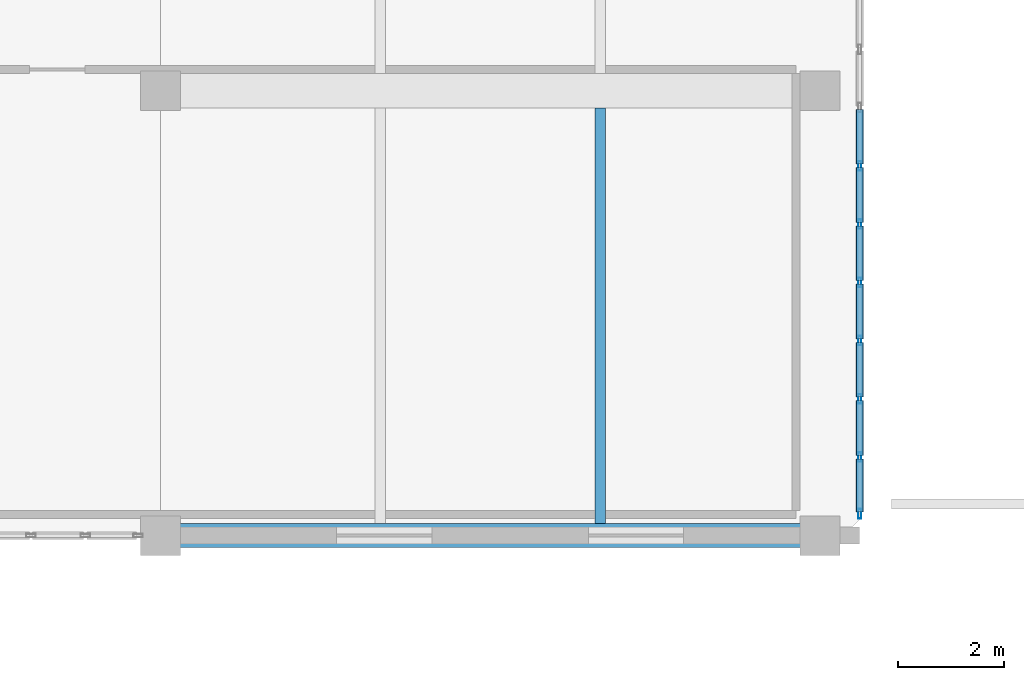
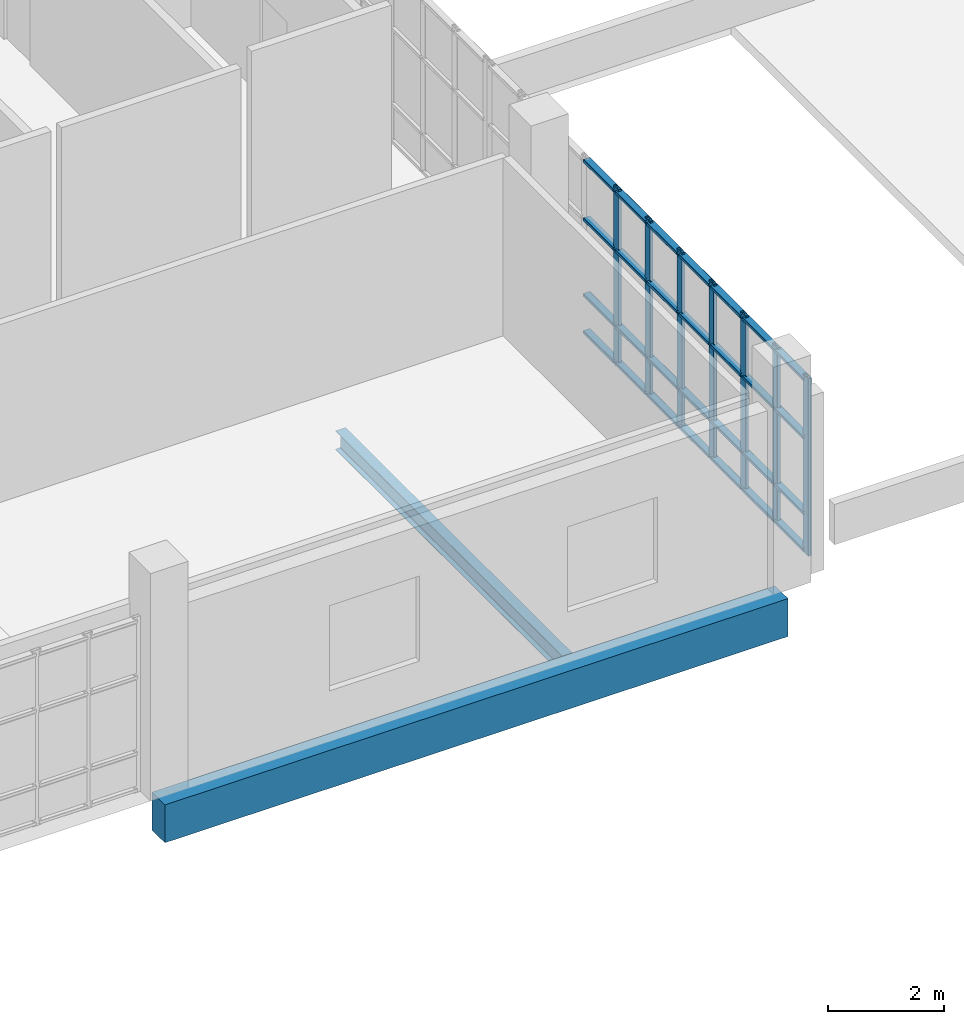
# One storey, part 58 of 106: 35 members, 2 beams, 1 element without a shape of its own.
"""IFC4 building model written with IfcOpenShell, lengths in metres."""

from ifc_helpers import new_model, si_unit, direction, frame, origin, origin_2d, place, context, subcontext, project, spatial, rectangle, hollow_rectangle, i_section, extrude, material, layer, layer_set, material_profile, profile_set, type_object, element, aggregate, save


model = new_model("IFC4")

# Units and contexts
model_context = context("Model", 3, precision=1e-05, world=origin(), true_north=direction((0.0, 1.0)))
body_context = subcontext(model_context, "Body", "Model", "MODEL_VIEW")
ifc_project = project(units=[si_unit("LENGTHUNIT", "METRE"), si_unit("AREAUNIT", "SQUARE_METRE"), si_unit("VOLUMEUNIT", "CUBIC_METRE"), si_unit("PLANEANGLEUNIT", "RADIAN"), si_unit("MASSUNIT", "GRAM", prefix="KILO")], contexts=[model_context])

# Site, building, storey
site_placement = place(None, origin())
site = spatial("IfcSite", under=ifc_project, at=site_placement, CompositionType="ELEMENT")
building_placement = place(site_placement, origin())
building = spatial("IfcBuilding", under=site, at=building_placement, Name="Kisaragi Civic Commons", CompositionType="ELEMENT")
storey_placement = place(building_placement, frame((0.0, 0.0, 4.800048828125)))
storey = spatial("IfcBuildingStorey", under=building, at=storey_placement, Name="L01", CompositionType="ELEMENT", Elevation=4.800048828125)

# Curtain wall, members
ifc_material_1 = material(Name="Thermally broken anodized aluminium and low-E double glazing", Category="aluminium")
ifc_layer = layer(ifc_material_1, 0.179931640625, Name="Thermally broken anodized aluminium and low-E double glazing", Category="aluminium")
ifc_layer_set = layer_set([ifc_layer], Name="Thermally broken anodized aluminium and low-E double glazing")
curtain_wall_type = type_object("IfcCurtainWallType", Name="CW-01", PredefinedType="NOTDEFINED", material=ifc_layer_set)
curtain_wall_placement = place(storey_placement, origin())
curtain_wall = element("IfcCurtainWall", 1, at=curtain_wall_placement, inside=storey, type_object=curtain_wall_type, Name="L01 curtain wall CW-01 CW-V4-L01-072", PredefinedType="NOTDEFINED")
ifc_material_profile_1 = material_profile(ifc_material_1, hollow_rectangle(XDim=0.06494140625, YDim=0.179931640625, WallThickness=0.00439453125, InnerFilletRadius=0.00439453125, OuterFilletRadius=0.009033203125, at=origin_2d()), Name="CWM-65x180x4.5", Category="aluminium")
ifc_profile_set_1 = profile_set([ifc_material_profile_1], Name="Thermally broken anodized aluminium and low-E double glazing")
member_type_1 = type_object("IfcMemberType", Name="CWM-02", PredefinedType="MULLION", material=ifc_profile_set_1)
member_1_placement = place(storey_placement, frame((159.60009765625, 102.97998046875, 0.0), z_axis=(0.0, 0.0, 1.0), x_axis=(1.0, 0.0, 0.0)))
member_1 = element("IfcMember", 2, at=member_1_placement, type_object=member_type_1, Name="CW-01 mullion 5", PredefinedType="MULLION", context=body_context, shape_type="SweptSolid", body=[
    extrude(hollow_rectangle(XDim=0.06494140625, YDim=0.179931640625, WallThickness=0.00439453125, InnerFilletRadius=0.00439453125, OuterFilletRadius=0.009033203125, at=origin_2d()), origin(), (0.0, 0.0, 1.0), 3.7548828125),
])
member_2_placement = place(storey_placement, frame((159.60009765625, 101.8798828125, 0.0), z_axis=(0.0, 0.0, 1.0), x_axis=(1.0, 0.0, 0.0)))
member_2 = element("IfcMember", 3, at=member_2_placement, type_object=member_type_1, Name="CW-01 mullion 6", PredefinedType="MULLION", context=body_context, shape_type="SweptSolid", body=[
    extrude(hollow_rectangle(XDim=0.06494140625, YDim=0.179931640625, WallThickness=0.00439453125, InnerFilletRadius=0.00439453125, OuterFilletRadius=0.009033203125, at=origin_2d()), origin(), (0.0, 0.0, 1.0), 3.7548828125),
])
member_3_placement = place(storey_placement, frame((159.60009765625, 100.780029296875, 0.0), z_axis=(0.0, 0.0, 1.0), x_axis=(1.0, 0.0, 0.0)))
member_3 = element("IfcMember", 4, at=member_3_placement, type_object=member_type_1, Name="CW-01 mullion 7", PredefinedType="MULLION", context=body_context, shape_type="SweptSolid", body=[
    extrude(hollow_rectangle(XDim=0.06494140625, YDim=0.179931640625, WallThickness=0.00439453125, InnerFilletRadius=0.00439453125, OuterFilletRadius=0.009033203125, at=origin_2d()), origin(), (0.0, 0.0, 1.0), 3.7548828125),
])
member_4_placement = place(storey_placement, frame((159.60009765625, 99.679931640625, 0.0), z_axis=(0.0, 0.0, 1.0), x_axis=(1.0, 0.0, 0.0)))
member_4 = element("IfcMember", 5, at=member_4_placement, type_object=member_type_1, Name="CW-01 mullion 8", PredefinedType="MULLION", context=body_context, shape_type="SweptSolid", body=[
    extrude(hollow_rectangle(XDim=0.06494140625, YDim=0.179931640625, WallThickness=0.00439453125, InnerFilletRadius=0.00439453125, OuterFilletRadius=0.009033203125, at=origin_2d()), origin(), (0.0, 0.0, 1.0), 3.7548828125),
])
member_5_placement = place(storey_placement, frame((159.60009765625, 98.580078125, 0.0), z_axis=(0.0, 0.0, 1.0), x_axis=(1.0, 0.0, 0.0)))
member_5 = element("IfcMember", 6, at=member_5_placement, type_object=member_type_1, Name="CW-01 mullion 9", PredefinedType="MULLION", context=body_context, shape_type="SweptSolid", body=[
    extrude(hollow_rectangle(XDim=0.06494140625, YDim=0.179931640625, WallThickness=0.00439453125, InnerFilletRadius=0.00439453125, OuterFilletRadius=0.009033203125, at=origin_2d()), origin(), (0.0, 0.0, 1.0), 3.7548828125),
])
member_6_placement = place(storey_placement, frame((159.60009765625, 97.47998046875, 0.0), z_axis=(0.0, 0.0, 1.0), x_axis=(1.0, 0.0, 0.0)))
member_6 = element("IfcMember", 7, at=member_6_placement, type_object=member_type_1, Name="CW-01 mullion 10", PredefinedType="MULLION", context=body_context, shape_type="SweptSolid", body=[
    extrude(hollow_rectangle(XDim=0.06494140625, YDim=0.179931640625, WallThickness=0.00439453125, InnerFilletRadius=0.00439453125, OuterFilletRadius=0.009033203125, at=origin_2d()), origin(), (0.0, 0.0, 1.0), 3.7548828125),
])
member_7_placement = place(storey_placement, frame((159.60009765625, 96.41259765625, 0.0), z_axis=(0.0, 0.0, 1.0), x_axis=(1.0, 0.0, 0.0)))
member_7 = element("IfcMember", 8, at=member_7_placement, type_object=member_type_1, Name="CW-01 mullion 11", PredefinedType="MULLION", context=body_context, shape_type="SweptSolid", body=[
    extrude(hollow_rectangle(XDim=0.06494140625, YDim=0.179931640625, WallThickness=0.00439453125, InnerFilletRadius=0.00439453125, OuterFilletRadius=0.009033203125, at=origin_2d()), origin(), (0.0, 0.0, 1.0), 3.7548828125),
])
ifc_material_profile_2 = material_profile(ifc_material_1, hollow_rectangle(XDim=0.139892578125, YDim=0.06494140625, WallThickness=0.00439453125, InnerFilletRadius=0.00439453125, OuterFilletRadius=0.009033203125, at=origin_2d()), Name="CWT-65x140x4.5", Category="aluminium")
ifc_profile_set_2 = profile_set([ifc_material_profile_2], Name="Thermally broken anodized aluminium and low-E double glazing")
member_type_2 = type_object("IfcMemberType", Name="CWT-02", PredefinedType="USERDEFINED", material=ifc_profile_set_2)
member_8_placement = place(storey_placement, frame((159.60009765625, 104.047607421875, 0.070068359375), z_axis=(0.0, -1.0, 0.0), x_axis=(1.0, 0.0, 0.0)))
member_8 = element("IfcMember", 9, at=member_8_placement, type_object=member_type_2, Name="CW-01 transom 4.1", ObjectType="TRANSOM", PredefinedType="USERDEFINED", context=body_context, shape_type="SweptSolid", body=[
    extrude(hollow_rectangle(XDim=0.139892578125, YDim=0.06494140625, WallThickness=0.00439453125, InnerFilletRadius=0.00439453125, OuterFilletRadius=0.009033203125, at=origin_2d()), origin(), (0.0, 0.0, 1.0), 1.03515625),
])
member_9_placement = place(storey_placement, frame((159.60009765625, 104.047607421875, 0.849853515625), z_axis=(0.0, -1.0, 0.0), x_axis=(1.0, 0.0, 0.0)))
member_9 = element("IfcMember", 10, at=member_9_placement, type_object=member_type_2, Name="CW-01 transom 4.2", ObjectType="TRANSOM", PredefinedType="USERDEFINED", context=body_context, shape_type="SweptSolid", body=[
    extrude(hollow_rectangle(XDim=0.139892578125, YDim=0.06494140625, WallThickness=0.00439453125, InnerFilletRadius=0.00439453125, OuterFilletRadius=0.009033203125, at=origin_2d()), origin(), (0.0, 0.0, 1.0), 1.03515625),
])
member_10_placement = place(storey_placement, frame((159.60009765625, 104.047607421875, 2.449951171875), z_axis=(0.0, -1.0, 0.0), x_axis=(1.0, 0.0, 0.0)))
member_10 = element("IfcMember", 11, at=member_10_placement, type_object=member_type_2, Name="CW-01 transom 4.3", ObjectType="TRANSOM", PredefinedType="USERDEFINED", context=body_context, shape_type="SweptSolid", body=[
    extrude(hollow_rectangle(XDim=0.139892578125, YDim=0.06494140625, WallThickness=0.00439453125, InnerFilletRadius=0.00439453125, OuterFilletRadius=0.009033203125, at=origin_2d()), origin(), (0.0, 0.0, 1.0), 1.03515625),
])
member_11_placement = place(storey_placement, frame((159.60009765625, 104.047607421875, 3.68505859375), z_axis=(0.0, -1.0, 0.0), x_axis=(1.0, 0.0, 0.0)))
member_11 = element("IfcMember", 12, at=member_11_placement, type_object=member_type_2, Name="CW-01 transom 4.4", ObjectType="TRANSOM", PredefinedType="USERDEFINED", context=body_context, shape_type="SweptSolid", body=[
    extrude(hollow_rectangle(XDim=0.139892578125, YDim=0.06494140625, WallThickness=0.00439453125, InnerFilletRadius=0.00439453125, OuterFilletRadius=0.009033203125, at=origin_2d()), origin(), (0.0, 0.0, 1.0), 1.03515625),
])
member_12_placement = place(storey_placement, frame((159.60009765625, 102.947509765625, 0.070068359375), z_axis=(0.0, -1.0, 0.0), x_axis=(1.0, 0.0, 0.0)))
member_12 = element("IfcMember", 13, at=member_12_placement, type_object=member_type_2, Name="CW-01 transom 5.1", ObjectType="TRANSOM", PredefinedType="USERDEFINED", context=body_context, shape_type="SweptSolid", body=[
    extrude(hollow_rectangle(XDim=0.139892578125, YDim=0.06494140625, WallThickness=0.00439453125, InnerFilletRadius=0.00439453125, OuterFilletRadius=0.009033203125, at=origin_2d()), origin(), (0.0, 0.0, 1.0), 1.034912109375),
])
member_13_placement = place(storey_placement, frame((159.60009765625, 102.947509765625, 0.849853515625), z_axis=(0.0, -1.0, 0.0), x_axis=(1.0, 0.0, 0.0)))
member_13 = element("IfcMember", 14, at=member_13_placement, type_object=member_type_2, Name="CW-01 transom 5.2", ObjectType="TRANSOM", PredefinedType="USERDEFINED", context=body_context, shape_type="SweptSolid", body=[
    extrude(hollow_rectangle(XDim=0.139892578125, YDim=0.06494140625, WallThickness=0.00439453125, InnerFilletRadius=0.00439453125, OuterFilletRadius=0.009033203125, at=origin_2d()), origin(), (0.0, 0.0, 1.0), 1.034912109375),
])
member_14_placement = place(storey_placement, frame((159.60009765625, 102.947509765625, 2.449951171875), z_axis=(0.0, -1.0, 0.0), x_axis=(1.0, 0.0, 0.0)))
member_14 = element("IfcMember", 15, at=member_14_placement, type_object=member_type_2, Name="CW-01 transom 5.3", ObjectType="TRANSOM", PredefinedType="USERDEFINED", context=body_context, shape_type="SweptSolid", body=[
    extrude(hollow_rectangle(XDim=0.139892578125, YDim=0.06494140625, WallThickness=0.00439453125, InnerFilletRadius=0.00439453125, OuterFilletRadius=0.009033203125, at=origin_2d()), origin(), (0.0, 0.0, 1.0), 1.034912109375),
])
member_15_placement = place(storey_placement, frame((159.60009765625, 102.947509765625, 3.68505859375), z_axis=(0.0, -1.0, 0.0), x_axis=(1.0, 0.0, 0.0)))
member_15 = element("IfcMember", 16, at=member_15_placement, type_object=member_type_2, Name="CW-01 transom 5.4", ObjectType="TRANSOM", PredefinedType="USERDEFINED", context=body_context, shape_type="SweptSolid", body=[
    extrude(hollow_rectangle(XDim=0.139892578125, YDim=0.06494140625, WallThickness=0.00439453125, InnerFilletRadius=0.00439453125, OuterFilletRadius=0.009033203125, at=origin_2d()), origin(), (0.0, 0.0, 1.0), 1.034912109375),
])
member_16_placement = place(storey_placement, frame((159.60009765625, 101.847412109375, 0.070068359375), z_axis=(0.0, -1.0, 0.0), x_axis=(1.0, 0.0, 0.0)))
member_16 = element("IfcMember", 17, at=member_16_placement, type_object=member_type_2, Name="CW-01 transom 6.1", ObjectType="TRANSOM", PredefinedType="USERDEFINED", context=body_context, shape_type="SweptSolid", body=[
    extrude(hollow_rectangle(XDim=0.139892578125, YDim=0.06494140625, WallThickness=0.00439453125, InnerFilletRadius=0.00439453125, OuterFilletRadius=0.009033203125, at=origin_2d()), origin(), (0.0, 0.0, 1.0), 1.034912109375),
])
member_17_placement = place(storey_placement, frame((159.60009765625, 101.847412109375, 0.849853515625), z_axis=(0.0, -1.0, 0.0), x_axis=(1.0, 0.0, 0.0)))
member_17 = element("IfcMember", 18, at=member_17_placement, type_object=member_type_2, Name="CW-01 transom 6.2", ObjectType="TRANSOM", PredefinedType="USERDEFINED", context=body_context, shape_type="SweptSolid", body=[
    extrude(hollow_rectangle(XDim=0.139892578125, YDim=0.06494140625, WallThickness=0.00439453125, InnerFilletRadius=0.00439453125, OuterFilletRadius=0.009033203125, at=origin_2d()), origin(), (0.0, 0.0, 1.0), 1.034912109375),
])
member_18_placement = place(storey_placement, frame((159.60009765625, 101.847412109375, 2.449951171875), z_axis=(0.0, -1.0, 0.0), x_axis=(1.0, 0.0, 0.0)))
member_18 = element("IfcMember", 19, at=member_18_placement, type_object=member_type_2, Name="CW-01 transom 6.3", ObjectType="TRANSOM", PredefinedType="USERDEFINED", context=body_context, shape_type="SweptSolid", body=[
    extrude(hollow_rectangle(XDim=0.139892578125, YDim=0.06494140625, WallThickness=0.00439453125, InnerFilletRadius=0.00439453125, OuterFilletRadius=0.009033203125, at=origin_2d()), origin(), (0.0, 0.0, 1.0), 1.034912109375),
])
member_19_placement = place(storey_placement, frame((159.60009765625, 101.847412109375, 3.68505859375), z_axis=(0.0, -1.0, 0.0), x_axis=(1.0, 0.0, 0.0)))
member_19 = element("IfcMember", 20, at=member_19_placement, type_object=member_type_2, Name="CW-01 transom 6.4", ObjectType="TRANSOM", PredefinedType="USERDEFINED", context=body_context, shape_type="SweptSolid", body=[
    extrude(hollow_rectangle(XDim=0.139892578125, YDim=0.06494140625, WallThickness=0.00439453125, InnerFilletRadius=0.00439453125, OuterFilletRadius=0.009033203125, at=origin_2d()), origin(), (0.0, 0.0, 1.0), 1.034912109375),
])
member_20_placement = place(storey_placement, frame((159.60009765625, 100.74755859375, 0.070068359375), z_axis=(0.0, -1.0, 0.0), x_axis=(1.0, 0.0, 0.0)))
member_20 = element("IfcMember", 21, at=member_20_placement, type_object=member_type_2, Name="CW-01 transom 7.1", ObjectType="TRANSOM", PredefinedType="USERDEFINED", context=body_context, shape_type="SweptSolid", body=[
    extrude(hollow_rectangle(XDim=0.139892578125, YDim=0.06494140625, WallThickness=0.00439453125, InnerFilletRadius=0.00439453125, OuterFilletRadius=0.009033203125, at=origin_2d()), origin(), (0.0, 0.0, 1.0), 1.03515625),
])
member_21_placement = place(storey_placement, frame((159.60009765625, 100.74755859375, 0.849853515625), z_axis=(0.0, -1.0, 0.0), x_axis=(1.0, 0.0, 0.0)))
member_21 = element("IfcMember", 22, at=member_21_placement, type_object=member_type_2, Name="CW-01 transom 7.2", ObjectType="TRANSOM", PredefinedType="USERDEFINED", context=body_context, shape_type="SweptSolid", body=[
    extrude(hollow_rectangle(XDim=0.139892578125, YDim=0.06494140625, WallThickness=0.00439453125, InnerFilletRadius=0.00439453125, OuterFilletRadius=0.009033203125, at=origin_2d()), origin(), (0.0, 0.0, 1.0), 1.03515625),
])
member_22_placement = place(storey_placement, frame((159.60009765625, 100.74755859375, 2.449951171875), z_axis=(0.0, -1.0, 0.0), x_axis=(1.0, 0.0, 0.0)))
member_22 = element("IfcMember", 23, at=member_22_placement, type_object=member_type_2, Name="CW-01 transom 7.3", ObjectType="TRANSOM", PredefinedType="USERDEFINED", context=body_context, shape_type="SweptSolid", body=[
    extrude(hollow_rectangle(XDim=0.139892578125, YDim=0.06494140625, WallThickness=0.00439453125, InnerFilletRadius=0.00439453125, OuterFilletRadius=0.009033203125, at=origin_2d()), origin(), (0.0, 0.0, 1.0), 1.03515625),
])
member_23_placement = place(storey_placement, frame((159.60009765625, 100.74755859375, 3.68505859375), z_axis=(0.0, -1.0, 0.0), x_axis=(1.0, 0.0, 0.0)))
member_23 = element("IfcMember", 24, at=member_23_placement, type_object=member_type_2, Name="CW-01 transom 7.4", ObjectType="TRANSOM", PredefinedType="USERDEFINED", context=body_context, shape_type="SweptSolid", body=[
    extrude(hollow_rectangle(XDim=0.139892578125, YDim=0.06494140625, WallThickness=0.00439453125, InnerFilletRadius=0.00439453125, OuterFilletRadius=0.009033203125, at=origin_2d()), origin(), (0.0, 0.0, 1.0), 1.03515625),
])
member_24_placement = place(storey_placement, frame((159.60009765625, 99.6474609375, 0.070068359375), z_axis=(0.0, -1.0, 0.0), x_axis=(1.0, 0.0, 0.0)))
member_24 = element("IfcMember", 25, at=member_24_placement, type_object=member_type_2, Name="CW-01 transom 8.1", ObjectType="TRANSOM", PredefinedType="USERDEFINED", context=body_context, shape_type="SweptSolid", body=[
    extrude(hollow_rectangle(XDim=0.139892578125, YDim=0.06494140625, WallThickness=0.00439453125, InnerFilletRadius=0.00439453125, OuterFilletRadius=0.009033203125, at=origin_2d()), origin(), (0.0, 0.0, 1.0), 1.034912109375),
])
member_25_placement = place(storey_placement, frame((159.60009765625, 99.6474609375, 0.849853515625), z_axis=(0.0, -1.0, 0.0), x_axis=(1.0, 0.0, 0.0)))
member_25 = element("IfcMember", 26, at=member_25_placement, type_object=member_type_2, Name="CW-01 transom 8.2", ObjectType="TRANSOM", PredefinedType="USERDEFINED", context=body_context, shape_type="SweptSolid", body=[
    extrude(hollow_rectangle(XDim=0.139892578125, YDim=0.06494140625, WallThickness=0.00439453125, InnerFilletRadius=0.00439453125, OuterFilletRadius=0.009033203125, at=origin_2d()), origin(), (0.0, 0.0, 1.0), 1.034912109375),
])
member_26_placement = place(storey_placement, frame((159.60009765625, 99.6474609375, 2.449951171875), z_axis=(0.0, -1.0, 0.0), x_axis=(1.0, 0.0, 0.0)))
member_26 = element("IfcMember", 27, at=member_26_placement, type_object=member_type_2, Name="CW-01 transom 8.3", ObjectType="TRANSOM", PredefinedType="USERDEFINED", context=body_context, shape_type="SweptSolid", body=[
    extrude(hollow_rectangle(XDim=0.139892578125, YDim=0.06494140625, WallThickness=0.00439453125, InnerFilletRadius=0.00439453125, OuterFilletRadius=0.009033203125, at=origin_2d()), origin(), (0.0, 0.0, 1.0), 1.034912109375),
])
member_27_placement = place(storey_placement, frame((159.60009765625, 99.6474609375, 3.68505859375), z_axis=(0.0, -1.0, 0.0), x_axis=(1.0, 0.0, 0.0)))
member_27 = element("IfcMember", 28, at=member_27_placement, type_object=member_type_2, Name="CW-01 transom 8.4", ObjectType="TRANSOM", PredefinedType="USERDEFINED", context=body_context, shape_type="SweptSolid", body=[
    extrude(hollow_rectangle(XDim=0.139892578125, YDim=0.06494140625, WallThickness=0.00439453125, InnerFilletRadius=0.00439453125, OuterFilletRadius=0.009033203125, at=origin_2d()), origin(), (0.0, 0.0, 1.0), 1.034912109375),
])
member_28_placement = place(storey_placement, frame((159.60009765625, 98.547607421875, 0.070068359375), z_axis=(0.0, -1.0, 0.0), x_axis=(1.0, 0.0, 0.0)))
member_28 = element("IfcMember", 29, at=member_28_placement, type_object=member_type_2, Name="CW-01 transom 9.1", ObjectType="TRANSOM", PredefinedType="USERDEFINED", context=body_context, shape_type="SweptSolid", body=[
    extrude(hollow_rectangle(XDim=0.139892578125, YDim=0.06494140625, WallThickness=0.00439453125, InnerFilletRadius=0.00439453125, OuterFilletRadius=0.009033203125, at=origin_2d()), origin(), (0.0, 0.0, 1.0), 1.03515625),
])
member_29_placement = place(storey_placement, frame((159.60009765625, 98.547607421875, 0.849853515625), z_axis=(0.0, -1.0, 0.0), x_axis=(1.0, 0.0, 0.0)))
member_29 = element("IfcMember", 30, at=member_29_placement, type_object=member_type_2, Name="CW-01 transom 9.2", ObjectType="TRANSOM", PredefinedType="USERDEFINED", context=body_context, shape_type="SweptSolid", body=[
    extrude(hollow_rectangle(XDim=0.139892578125, YDim=0.06494140625, WallThickness=0.00439453125, InnerFilletRadius=0.00439453125, OuterFilletRadius=0.009033203125, at=origin_2d()), origin(), (0.0, 0.0, 1.0), 1.03515625),
])
member_30_placement = place(storey_placement, frame((159.60009765625, 98.547607421875, 2.449951171875), z_axis=(0.0, -1.0, 0.0), x_axis=(1.0, 0.0, 0.0)))
member_30 = element("IfcMember", 31, at=member_30_placement, type_object=member_type_2, Name="CW-01 transom 9.3", ObjectType="TRANSOM", PredefinedType="USERDEFINED", context=body_context, shape_type="SweptSolid", body=[
    extrude(hollow_rectangle(XDim=0.139892578125, YDim=0.06494140625, WallThickness=0.00439453125, InnerFilletRadius=0.00439453125, OuterFilletRadius=0.009033203125, at=origin_2d()), origin(), (0.0, 0.0, 1.0), 1.03515625),
])
member_31_placement = place(storey_placement, frame((159.60009765625, 98.547607421875, 3.68505859375), z_axis=(0.0, -1.0, 0.0), x_axis=(1.0, 0.0, 0.0)))
member_31 = element("IfcMember", 32, at=member_31_placement, type_object=member_type_2, Name="CW-01 transom 9.4", ObjectType="TRANSOM", PredefinedType="USERDEFINED", context=body_context, shape_type="SweptSolid", body=[
    extrude(hollow_rectangle(XDim=0.139892578125, YDim=0.06494140625, WallThickness=0.00439453125, InnerFilletRadius=0.00439453125, OuterFilletRadius=0.009033203125, at=origin_2d()), origin(), (0.0, 0.0, 1.0), 1.03515625),
])
member_32_placement = place(storey_placement, frame((159.60009765625, 97.447509765625, 0.070068359375), z_axis=(0.0, -1.0, 0.0), x_axis=(1.0, 0.0, 0.0)))
member_32 = element("IfcMember", 33, at=member_32_placement, type_object=member_type_2, Name="CW-01 transom 10.1", ObjectType="TRANSOM", PredefinedType="USERDEFINED", context=body_context, shape_type="SweptSolid", body=[
    extrude(hollow_rectangle(XDim=0.139892578125, YDim=0.06494140625, WallThickness=0.00439453125, InnerFilletRadius=0.00439453125, OuterFilletRadius=0.009033203125, at=origin_2d()), origin(), (0.0, 0.0, 1.0), 1.00244140625),
])
member_33_placement = place(storey_placement, frame((159.60009765625, 97.447509765625, 0.849853515625), z_axis=(0.0, -1.0, 0.0), x_axis=(1.0, 0.0, 0.0)))
member_33 = element("IfcMember", 34, at=member_33_placement, type_object=member_type_2, Name="CW-01 transom 10.2", ObjectType="TRANSOM", PredefinedType="USERDEFINED", context=body_context, shape_type="SweptSolid", body=[
    extrude(hollow_rectangle(XDim=0.139892578125, YDim=0.06494140625, WallThickness=0.00439453125, InnerFilletRadius=0.00439453125, OuterFilletRadius=0.009033203125, at=origin_2d()), origin(), (0.0, 0.0, 1.0), 1.00244140625),
])
member_34_placement = place(storey_placement, frame((159.60009765625, 97.447509765625, 2.449951171875), z_axis=(0.0, -1.0, 0.0), x_axis=(1.0, 0.0, 0.0)))
member_34 = element("IfcMember", 35, at=member_34_placement, type_object=member_type_2, Name="CW-01 transom 10.3", ObjectType="TRANSOM", PredefinedType="USERDEFINED", context=body_context, shape_type="SweptSolid", body=[
    extrude(hollow_rectangle(XDim=0.139892578125, YDim=0.06494140625, WallThickness=0.00439453125, InnerFilletRadius=0.00439453125, OuterFilletRadius=0.009033203125, at=origin_2d()), origin(), (0.0, 0.0, 1.0), 1.00244140625),
])
member_35_placement = place(storey_placement, frame((159.60009765625, 97.447509765625, 3.68505859375), z_axis=(0.0, -1.0, 0.0), x_axis=(1.0, 0.0, 0.0)))
member_35 = element("IfcMember", 36, at=member_35_placement, type_object=member_type_2, Name="CW-01 transom 10.4", ObjectType="TRANSOM", PredefinedType="USERDEFINED", context=body_context, shape_type="SweptSolid", body=[
    extrude(hollow_rectangle(XDim=0.139892578125, YDim=0.06494140625, WallThickness=0.00439453125, InnerFilletRadius=0.00439453125, OuterFilletRadius=0.009033203125, at=origin_2d()), origin(), (0.0, 0.0, 1.0), 1.00244140625),
])
aggregate(curtain_wall, [member_1, member_2, member_3, member_4, member_5, member_6, member_7, member_8, member_9, member_10, member_11, member_12, member_13, member_14, member_15, member_16, member_17, member_18, member_19, member_20, member_21, member_22, member_23, member_24, member_25, member_26, member_27, member_28, member_29, member_30, member_31, member_32, member_33, member_34, member_35])

# Beams
ifc_material_2 = material(Name="Steel SN400 (SN400B)", Category="steel")
ifc_material_profile_3 = material_profile(ifc_material_2, i_section(OverallWidth=0.199951171875, OverallDepth=0.39990234375, WebThickness=0.008056640625, FlangeThickness=0.012939453125, FilletRadius=0.012939453125, at=origin_2d()), Name="H-400x200x8x13", Category="steel")
ifc_profile_set_3 = profile_set([ifc_material_profile_3], Name="Steel SN400 (SN400B)")
beam_type_1 = type_object("IfcBeamType", Name="J-01", PredefinedType="JOIST", material=ifc_profile_set_3)
beam_1_placement = place(storey_placement, frame((154.699951171875, 96.22509765625, -0.505126953125), z_axis=(0.0, 1.0, 0.0), x_axis=(-1.0, 0.0, 0.0)))
element("IfcBeam", 37, at=beam_1_placement, inside=storey, type_object=beam_type_1, Name="L01 secondary steel joist J-01 53", PredefinedType="JOIST", context=body_context, shape_type="SweptSolid", body=[
    extrude(i_section(OverallWidth=0.199951171875, OverallDepth=0.39990234375, WebThickness=0.008056640625, FlangeThickness=0.012939453125, FilletRadius=0.012939453125, at=origin_2d()), origin(), (0.0, 0.0, 1.0), 7.849853515625),
])
ifc_material_3 = material(Name="Concrete Fc30", Category="concrete")
ifc_material_profile_4 = material_profile(ifc_material_3, rectangle(XDim=0.449951171875, YDim=0.800048828125, at=origin_2d()), Name="RC-450x800", Category="concrete")
ifc_profile_set_4 = profile_set([ifc_material_profile_4], Name="Concrete Fc30")
beam_type_2 = type_object("IfcBeamType", Name="SPB-01", PredefinedType="SPANDREL", material=ifc_profile_set_4)
beam_2_placement = place(storey_placement, frame((146.39990234375, 96.0, -0.705078125), z_axis=(1.0, 0.0, 0.0), x_axis=(0.0, 1.0, 0.0)))
element("IfcBeam", 38, at=beam_2_placement, inside=storey, type_object=beam_type_2, Name="L01 girder SPB-01 225", PredefinedType="SPANDREL", context=body_context, shape_type="SweptSolid", body=[
    extrude(rectangle(XDim=0.449951171875, YDim=0.800048828125, at=origin_2d()), origin(), (0.0, 0.0, 1.0), 12.4501953125),
])

save(model, "model.ifc")
